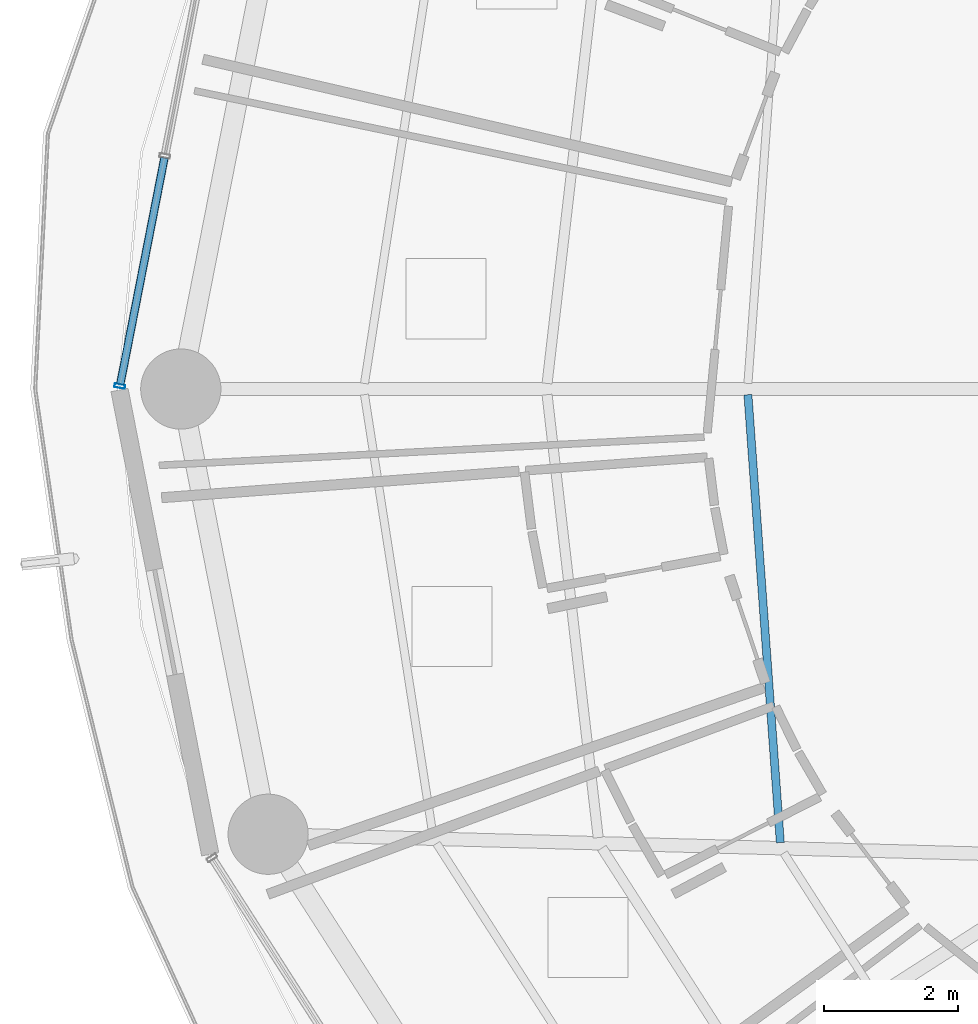
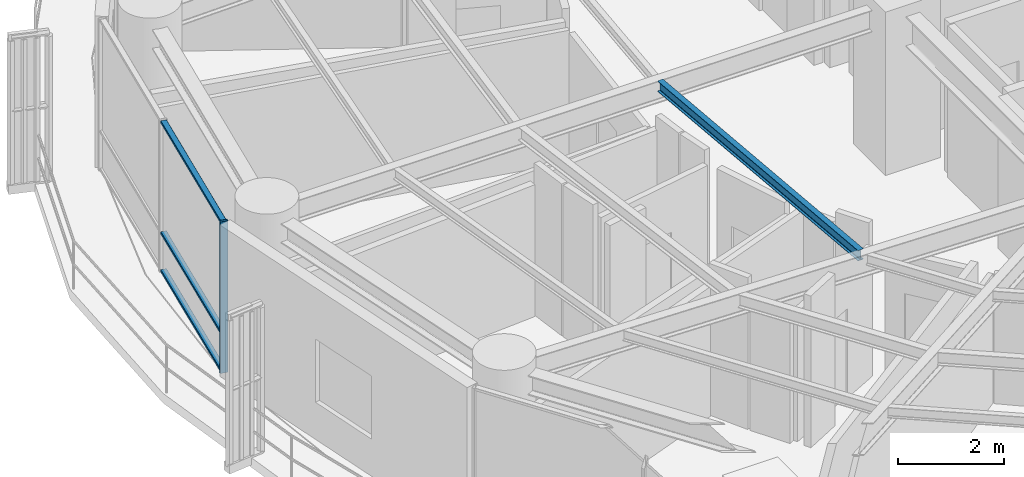
# One storey, part 6 of 28: 4 members, 1 beam, 1 element without a shape of its own.
"""IFC4 building model written with IfcOpenShell, lengths in metres."""

from ifc_helpers import new_model, si_unit, direction, frame, origin, origin_2d, place, context, subcontext, project, spatial, hollow_rectangle, i_section, extrude, material, layer, layer_set, material_profile, profile_set, type_object, element, aggregate, save


model = new_model("IFC4")

# Units and contexts
model_context = context("Model", 3, precision=1e-05, world=origin(), true_north=direction((0.0, 1.0)))
body_context = subcontext(model_context, "Body", "Model", "MODEL_VIEW")
ifc_project = project(units=[si_unit("LENGTHUNIT", "METRE"), si_unit("AREAUNIT", "SQUARE_METRE"), si_unit("VOLUMEUNIT", "CUBIC_METRE"), si_unit("PLANEANGLEUNIT", "RADIAN"), si_unit("MASSUNIT", "GRAM", prefix="KILO")], contexts=[model_context])

# Site, building, storey
site_placement = place(None, origin())
site = spatial("IfcSite", under=ifc_project, at=site_placement, CompositionType="ELEMENT")
building_placement = place(site_placement, origin())
building = spatial("IfcBuilding", under=site, at=building_placement, Name="Kelanora Arch Commons", CompositionType="ELEMENT")
storey_placement = place(building_placement, frame((0.0, 0.0, 139.35009765625)))
storey = spatial("IfcBuildingStorey", under=building, at=storey_placement, Name="L35", CompositionType="ELEMENT", Elevation=139.35009765625)

# Beam
ifc_material_1 = material(Name="Steel S355", Category="steel")
ifc_material_profile_1 = material_profile(ifc_material_1, i_section(OverallWidth=0.1201171875, OverallDepth=0.239990234375, WebThickness=0.006103515625, FlangeThickness=0.009765625, FilletRadius=0.014892578125, at=origin_2d()), Name="IPE240")
ifc_profile_set_1 = profile_set([ifc_material_profile_1], Name="Steel S355")
beam_type = type_object("IfcBeamType", Name="BM-JST-02", PredefinedType="JOIST", material=ifc_profile_set_1)
beam_placement = place(storey_placement, frame((60.8076171875, 57.915283203125, 3.369873046875), z_axis=(0.072117123738, -0.997396170267, 0.0), x_axis=(0.997396170267, 0.072117123738, 0.0)))
element("IfcBeam", 1, at=beam_placement, inside=storey, type_object=beam_type, Name="Secondary Chord Joist BJA-18 L35", PredefinedType="JOIST", context=body_context, shape_type="SweptSolid", body=[
    extrude(i_section(OverallWidth=0.1201171875, OverallDepth=0.239990234375, WebThickness=0.006103515625, FlangeThickness=0.009765625, FilletRadius=0.014892578125, at=origin_2d()), origin(), (0.0, 0.0, 1.0), 6.719970703125),
])

# Curtain wall, members
ifc_material_2 = material(Name="Terracotta ceramic-fritted low-E glass and aluminium", Category="masonry")
ifc_layer = layer(ifc_material_2, 0.175048828125)
ifc_layer_set = layer_set([ifc_layer], Name="Terracotta ceramic-fritted low-E glass and aluminium")
curtain_wall_type = type_object("IfcCurtainWallType", Name="CW-SYS-02", PredefinedType="NOTDEFINED", material=ifc_layer_set)
curtain_wall_placement = place(storey_placement, origin())
curtain_wall = element("IfcCurtainWall", 2, at=curtain_wall_placement, inside=storey, type_object=curtain_wall_type, Name="Unitised Curtain Wall L35-B08", PredefinedType="NOTDEFINED")
ifc_material_3 = material(Name="Powder-coated aluminium terracotta", Category="masonry")
ifc_material_profile_2 = material_profile(ifc_material_3, hollow_rectangle(XDim=0.159912109375, YDim=0.06005859375, WallThickness=0.0048828125, InnerFilletRadius=0.0048828125, OuterFilletRadius=0.010009765625, at=origin_2d()), Name="CWM160x60")
ifc_profile_set_2 = profile_set([ifc_material_profile_2], Name="Powder-coated aluminium terracotta")
member_type_1 = type_object("IfcMemberType", Name="CWM-STD", PredefinedType="MULLION", material=ifc_profile_set_2)
member_1_placement = place(storey_placement, frame((51.40869140625, 58.044189453125, 0.0), z_axis=(0.0, 0.0, 1.0), x_axis=(0.981452557718, -0.191705182375, 0.0)))
member_1 = element("IfcMember", 3, at=member_1_placement, type_object=member_type_1, Name="CW-02 mullion 3", PredefinedType="MULLION", context=body_context, shape_type="SweptSolid", body=[
    extrude(hollow_rectangle(XDim=0.159912109375, YDim=0.06005859375, WallThickness=0.0048828125, InnerFilletRadius=0.0048828125, OuterFilletRadius=0.010009765625, at=origin_2d()), origin(), (0.0, 0.0, 1.0), 3.474853515625),
])
ifc_material_profile_3 = material_profile(ifc_material_3, hollow_rectangle(XDim=0.1201171875, YDim=0.06005859375, WallThickness=0.0048828125, InnerFilletRadius=0.0048828125, OuterFilletRadius=0.010009765625, at=origin_2d()), Name="CWT120x60")
ifc_profile_set_3 = profile_set([ifc_material_profile_3], Name="Powder-coated aluminium terracotta")
member_type_2 = type_object("IfcMemberType", Name="CWT-STD", PredefinedType="USERDEFINED", material=ifc_profile_set_3)
member_2_placement = place(storey_placement, frame((52.07568359375, 61.459228515625, 0.02978515625), z_axis=(-0.191718206447, -0.981450013662, 0.0), x_axis=(0.981450013662, -0.191718206447, 0.0)))
member_2 = element("IfcMember", 4, at=member_2_placement, type_object=member_type_2, Name="CW-02 transom 2.1", ObjectType="TRANSOM", PredefinedType="USERDEFINED", context=body_context, shape_type="SweptSolid", body=[
    extrude(hollow_rectangle(XDim=0.1201171875, YDim=0.06005859375, WallThickness=0.0048828125, InnerFilletRadius=0.0048828125, OuterFilletRadius=0.010009765625, at=origin_2d()), origin(), (0.0, 0.0, 1.0), 3.44970703125),
])
member_3_placement = place(storey_placement, frame((52.07568359375, 61.459228515625, 0.89990234375), z_axis=(-0.191718206447, -0.981450013662, 0.0), x_axis=(0.981450013662, -0.191718206447, 0.0)))
member_3 = element("IfcMember", 5, at=member_3_placement, type_object=member_type_2, Name="CW-02 transom 2.2", ObjectType="TRANSOM", PredefinedType="USERDEFINED", context=body_context, shape_type="SweptSolid", body=[
    extrude(hollow_rectangle(XDim=0.1201171875, YDim=0.06005859375, WallThickness=0.0048828125, InnerFilletRadius=0.0048828125, OuterFilletRadius=0.010009765625, at=origin_2d()), origin(), (0.0, 0.0, 1.0), 3.44970703125),
])
member_4_placement = place(storey_placement, frame((52.07568359375, 61.459228515625, 3.44482421875), z_axis=(-0.191718206447, -0.981450013662, 0.0), x_axis=(0.981450013662, -0.191718206447, 0.0)))
member_4 = element("IfcMember", 6, at=member_4_placement, type_object=member_type_2, Name="CW-02 transom 2.3", ObjectType="TRANSOM", PredefinedType="USERDEFINED", context=body_context, shape_type="SweptSolid", body=[
    extrude(hollow_rectangle(XDim=0.1201171875, YDim=0.06005859375, WallThickness=0.0048828125, InnerFilletRadius=0.0048828125, OuterFilletRadius=0.010009765625, at=origin_2d()), origin(), (0.0, 0.0, 1.0), 3.44970703125),
])
aggregate(curtain_wall, [member_1, member_2, member_3, member_4])

save(model, "model.ifc")
